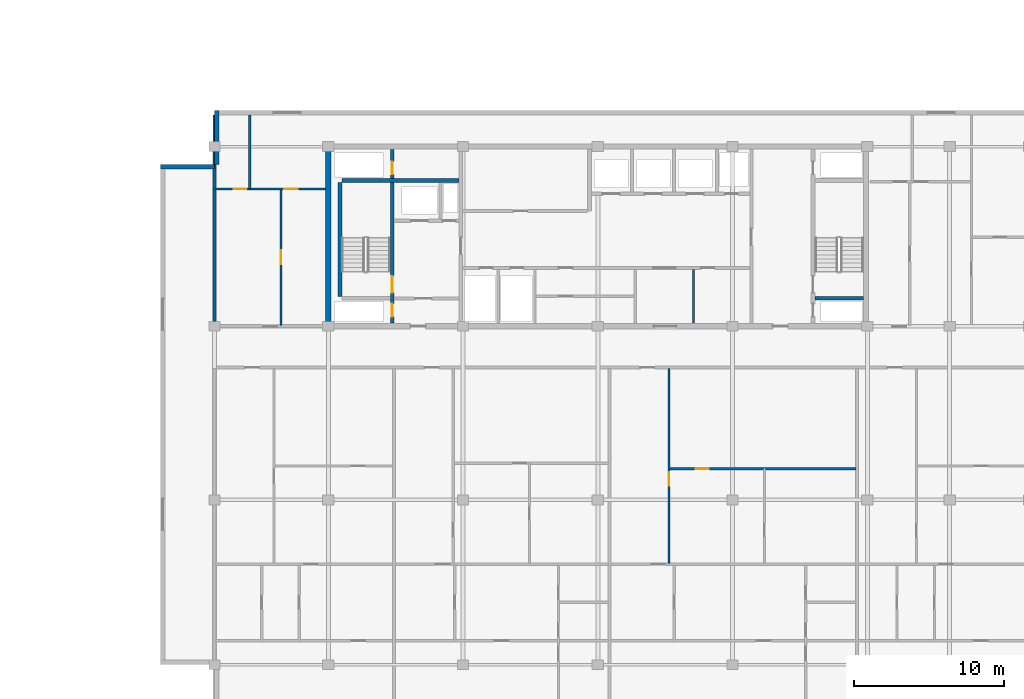
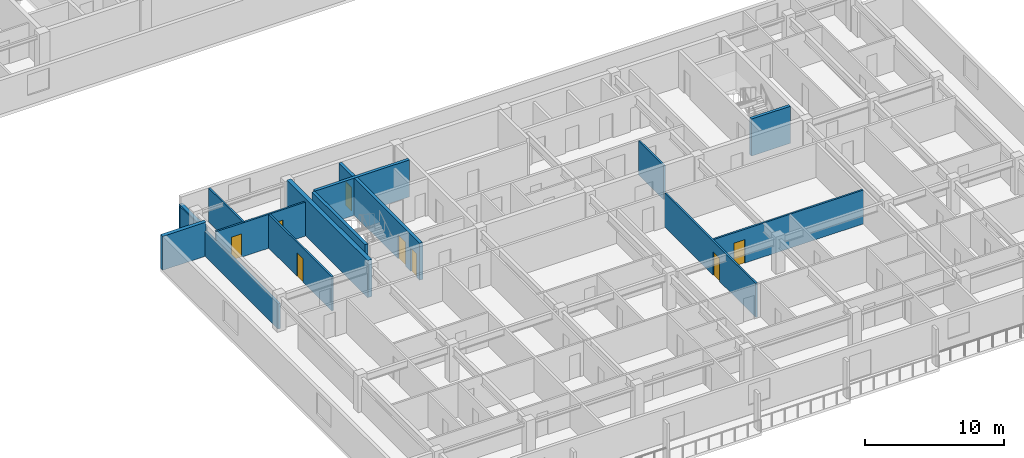
# One storey, part 6 of 22: 14 walls, 8 doors, 8 openings.
"""IFC4 building model written with IfcOpenShell, lengths in metres."""

from ifc_helpers import new_model, si_unit, direction, frame, frame_2d, origin, place, context, subcontext, project, spatial, rectangle, extrude, material, layer, layer_set, type_object, element, fill, save


model = new_model("IFC4")

# Units and contexts
model_context = context("Model", 3, precision=1e-05, world=origin(), true_north=direction((0.0, 1.0)))
body_context = subcontext(model_context, "Body", "Model", "MODEL_VIEW")
ifc_project = project(units=[si_unit("LENGTHUNIT", "METRE"), si_unit("AREAUNIT", "SQUARE_METRE"), si_unit("VOLUMEUNIT", "CUBIC_METRE"), si_unit("PLANEANGLEUNIT", "RADIAN"), si_unit("MASSUNIT", "GRAM", prefix="KILO")], contexts=[model_context])

# Site, building, storey
site_placement = place(None, origin())
site = spatial("IfcSite", under=ifc_project, at=site_placement, CompositionType="ELEMENT")
building_placement = place(site_placement, origin())
building = spatial("IfcBuilding", under=site, at=building_placement, Name="Korimba Cascade Residences", CompositionType="ELEMENT")
storey_placement = place(building_placement, frame((0.0, 0.0, 181.60009765625)))
storey = spatial("IfcBuildingStorey", under=building, at=storey_placement, Name="L52", CompositionType="ELEMENT", Elevation=181.60009765625)

# Walls
ifc_material_1 = material(Name="Precast concrete C40/50", Category="concrete")
ifc_layer_1 = layer(ifc_material_1, 0.300048828125)
ifc_layer_set_1 = layer_set([ifc_layer_1], Name="Precast concrete C40/50")
wall_type_1 = type_object("IfcWallType", Name="EW-STONE-300", PredefinedType="STANDARD", material=ifc_layer_set_1)
wall_1_placement = place(storey_placement, frame((74.64990234375, 32.800048828125, 0.0), z_axis=(0.0, 0.0, 1.0), x_axis=(0.0, -1.0, 0.0)))
element("IfcWall", 1, at=wall_1_placement, inside=storey, type_object=wall_type_1, Name="L52 T2 Perimeter Stone Wall E07", PredefinedType="STANDARD", context=body_context, shape_type="SweptSolid", body=[
    extrude(rectangle(XDim=3.60009765625, YDim=0.300048828125, at=frame_2d((1.800048828125, 0.0))), origin(), (0.0, 0.0, 1.0), 2.2001953125),
])
wall_2_placement = place(storey_placement, frame((74.5, 29.050048828125, 0.0), z_axis=(0.0, 0.0, 1.0), x_axis=(-1.0, 0.0, 0.0)))
element("IfcWall", 2, at=wall_2_placement, inside=storey, type_object=wall_type_1, Name="L52 T2 Perimeter Stone Wall E08", PredefinedType="STANDARD", context=body_context, shape_type="SweptSolid", body=[
    extrude(rectangle(XDim=3.60009765625, YDim=0.300048828125, at=frame_2d((1.800048828125, 0.0))), origin(), (0.0, 0.0, 1.0), 2.969970703125),
])
ifc_material_2 = material(Name="Concrete C65/80", Category="concrete")
ifc_layer_2 = layer(ifc_material_2, 0.35009765625)
ifc_layer_set_2 = layer_set([ifc_layer_2], Name="Concrete C65/80")
wall_type_2 = type_object("IfcWallType", Name="WAL-CORE-350", PredefinedType="SHEAR", material=ifc_layer_set_2)
wall_3_placement = place(storey_placement, frame((82.10009765625, 18.574951171875, 0.0), z_axis=(0.0, 0.0, 1.0), x_axis=(0.0, 1.0, 0.0)))
element("IfcWall", 3, at=wall_3_placement, inside=storey, type_object=wall_type_2, Name="L52 Core Shear Wall CW-L52-T2-W", PredefinedType="SHEAR", context=body_context, shape_type="SweptSolid", body=[
    extrude(rectangle(XDim=11.650146484375, YDim=0.35009765625, at=frame_2d((5.8251953125, 0.0))), origin(), (0.0, 0.0, 1.0), 3.25),
])
ifc_layer_3 = layer(ifc_material_1, 0.199951171875)
ifc_layer_set_3 = layer_set([ifc_layer_3], Name="Precast concrete C40/50")
wall_type_3 = type_object("IfcWallType", Name="WAL-IT-200", PredefinedType="PARTITIONING", material=ifc_layer_set_3)
wall_4_placement = place(storey_placement, frame((74.5, 18.39990234375, 0.0), z_axis=(0.0, 0.0, 1.0), x_axis=(0.0, 1.0, 0.0)))
element("IfcWall", 4, at=wall_4_placement, inside=storey, type_object=wall_type_3, Name="L52 Partition Wall WAL-L52-T2-FW-WL", PredefinedType="PARTITIONING", context=body_context, shape_type="SweptSolid", body=[
    extrude(rectangle(XDim=14.10009765625, YDim=0.199951171875, at=frame_2d((7.050048828125, 0.0))), origin(), (0.0, 0.0, 1.0), 2.2001953125),
])
ifc_material_3 = material(Name="Insulated Acoustic Stud Partition", Category="gypsum")
ifc_layer_4 = layer(ifc_material_3, 0.14990234375)
ifc_layer_set_4 = layer_set([ifc_layer_4], Name="Insulated Acoustic Stud Partition")
wall_type_4 = type_object("IfcWallType", Name="WAL-PART-150", PredefinedType="PARTITIONING", material=ifc_layer_set_4)
wall_5_placement = place(storey_placement, frame((106.5, 18.60009765625, 0.0), z_axis=(0.0, 0.0, 1.0), x_axis=(0.0, 1.0, 0.0)))
element("IfcWall", 5, at=wall_5_placement, inside=storey, type_object=wall_type_4, Name="L52 Partition Wall CW-L52-T2-THE", PredefinedType="PARTITIONING", context=body_context, shape_type="SweptSolid", body=[
    extrude(rectangle(XDim=3.599853515625, YDim=0.14990234375, at=frame_2d((1.7998046875, 0.0))), origin(), (0.0, 0.0, 1.0), 2.969970703125),
])

# Wall, opening, door
wall_6_placement = place(storey_placement, frame((78.945068359375, 18.449951171875, 0.0), z_axis=(0.0, 0.0, 1.0), x_axis=(0.0, 1.0, 0.0)))
wall_6 = element("IfcWall", 6, at=wall_6_placement, inside=storey, type_object=wall_type_4, Name="L52 Partition Wall WAL-L52-T2-FW-VS", PredefinedType="PARTITIONING", context=body_context, shape_type="SweptSolid", body=[
    extrude(rectangle(XDim=9.1201171875, YDim=0.14990234375, at=frame_2d((4.56005859375, 0.0))), origin(), (0.0, 0.0, 1.0), 2.969970703125),
])
opening_1_placement = place(wall_6_placement, frame((4.10009765625, 0.0, 0.0)))
opening_1 = element("IfcOpeningElement", 7, at=opening_1_placement, cuts=wall_6, Name="Opening D-IN1", PredefinedType="OPENING", context=body_context, shape_type="SweptSolid", body=[
    extrude(rectangle(XDim=0.919921875, YDim=2.080078125, at=frame_2d((0.4599609375, 1.0400390625))), frame((0.0, 0.0849609375, 0.0), z_axis=(0.0, -1.0, 0.0), x_axis=(1.0, 0.0, 0.0)), (0.0, 0.0, 1.0), 0.169921875),
])
ifc_material_4 = material(Name="Acoustic Timber Living Door", Category="wood")
door_type_1 = type_object("IfcDoorType", Name="DR-INT-920", OperationType="NOTDEFINED", PredefinedType="DOOR", material=ifc_material_4)
door_1_placement = place(opening_1_placement, origin())
door_1 = element("IfcDoor", 8, at=door_1_placement, inside=storey, type_object=door_type_1, Name="L52-T2-FW Living Door", OperationType="SINGLE_SWING_LEFT", OverallHeight=2.080078125, OverallWidth=0.919921875, PredefinedType="DOOR", context=body_context, shape_type="SweptSolid", body=[
    extrude(rectangle(XDim=0.919921875, YDim=2.080078125, at=frame_2d((0.4599609375, 1.0400390625))), frame((0.0, 0.02490234375, 0.0), z_axis=(0.0, -1.0, 0.0), x_axis=(1.0, 0.0, 0.0)), (0.0, 0.0, 1.0), 0.050048828125),
])
fill(opening_1, door_1)

# Wall
wall_7_placement = place(storey_placement, frame((76.85009765625, 27.570068359375, 0.0), z_axis=(0.0, 0.0, 1.0), x_axis=(0.0, 1.0, 0.0)))
element("IfcWall", 9, at=wall_7_placement, inside=storey, type_object=wall_type_4, Name="L52 Partition Wall WAL-L52-T2-FW-VN", PredefinedType="PARTITIONING", context=body_context, shape_type="SweptSolid", body=[
    extrude(rectangle(XDim=4.929931640625, YDim=0.14990234375, at=frame_2d((2.46484375, 0.0))), origin(), (0.0, 0.0, 1.0), 2.969970703125),
])

# Wall, openings, doors
wall_8_placement = place(storey_placement, frame((74.52001953125, 27.570068359375, 0.0), z_axis=(0.0, 0.0, 1.0), x_axis=(1.0, 0.0, 0.0)))
wall_8 = element("IfcWall", 10, at=wall_8_placement, inside=storey, type_object=wall_type_4, Name="L52 Partition Wall WAL-L52-T2-FW-H", PredefinedType="PARTITIONING", context=body_context, shape_type="SweptSolid", body=[
    extrude(rectangle(XDim=7.409912109375, YDim=0.14990234375, at=frame_2d((3.705078125, 0.0))), origin(), (0.0, 0.0, 1.0), 2.969970703125),
])
opening_2_placement = place(wall_8_placement, frame((1.266357421875, 0.0, 0.0)))
opening_2 = element("IfcOpeningElement", 11, at=opening_2_placement, cuts=wall_8, Name="Opening D-BT1", PredefinedType="OPENING", context=body_context, shape_type="SweptSolid", body=[
    extrude(rectangle(XDim=0.840087890625, YDim=2.0400390625, at=frame_2d((0.419921875, 1.02001953125))), frame((0.0, 0.0849609375, 0.0), z_axis=(0.0, -1.0, 0.0), x_axis=(1.0, 0.0, 0.0)), (0.0, 0.0, 1.0), 0.169921875),
])
opening_3_placement = place(wall_8_placement, frame((4.64501953125, 0.0, 0.0)))
opening_3 = element("IfcOpeningElement", 12, at=opening_3_placement, cuts=wall_8, Name="Opening D-IN2", PredefinedType="OPENING", context=body_context, shape_type="SweptSolid", body=[
    extrude(rectangle(XDim=0.8798828125, YDim=2.06005859375, at=frame_2d((0.43994140625, 1.030029296875))), frame((0.0, 0.0849609375, 0.0), z_axis=(0.0, -1.0, 0.0), x_axis=(1.0, 0.0, 0.0)), (0.0, 0.0, 1.0), 0.169921875),
])
ifc_material_5 = material(Name="Moisture-Resistant Bathroom Timber Door", Category="wood")
door_type_2 = type_object("IfcDoorType", Name="DR-INT-850", OperationType="NOTDEFINED", PredefinedType="DOOR", material=ifc_material_5)
door_2_placement = place(opening_2_placement, origin())
door_2 = element("IfcDoor", 13, at=door_2_placement, inside=storey, type_object=door_type_2, Name="L52-T2-FW Bathroom Door", OperationType="SINGLE_SWING_RIGHT", OverallHeight=2.0400390625, OverallWidth=0.840087890625, PredefinedType="DOOR", context=body_context, shape_type="SweptSolid", body=[
    extrude(rectangle(XDim=0.840087890625, YDim=2.0400390625, at=frame_2d((0.419921875, 1.02001953125))), frame((0.0, 0.02490234375, 0.0), z_axis=(0.0, -1.0, 0.0), x_axis=(1.0, 0.0, 0.0)), (0.0, 0.0, 1.0), 0.050048828125),
])
fill(opening_2, door_2)
ifc_material_6 = material(Name="Acoustic Timber Bedroom Door", Category="wood")
door_type_3 = type_object("IfcDoorType", Name="DR-INT-880", OperationType="NOTDEFINED", PredefinedType="DOOR", material=ifc_material_6)
door_3_placement = place(opening_3_placement, origin())
door_3 = element("IfcDoor", 14, at=door_3_placement, inside=storey, type_object=door_type_3, Name="L52-T2-FW Bedroom Door", OperationType="SINGLE_SWING_LEFT", OverallHeight=2.06005859375, OverallWidth=0.8798828125, PredefinedType="DOOR", context=body_context, shape_type="SweptSolid", body=[
    extrude(rectangle(XDim=0.8798828125, YDim=2.06005859375, at=frame_2d((0.43994140625, 1.030029296875))), frame((0.0, 0.02490234375, 0.0), z_axis=(0.0, -1.0, 0.0), x_axis=(1.0, 0.0, 0.0)), (0.0, 0.0, 1.0), 0.050048828125),
])
fill(opening_3, door_3)

# Wall, opening, door
wall_9_placement = place(storey_placement, frame((104.921630859375, 8.885009765625, 0.0), z_axis=(0.0, 0.0, 1.0), x_axis=(1.0, 0.0, 0.0)))
wall_9 = element("IfcWall", 15, at=wall_9_placement, inside=storey, type_object=wall_type_4, Name="L52 Partition Wall WAL-L52-T2-U03-FMH", PredefinedType="PARTITIONING", context=body_context, shape_type="SweptSolid", body=[
    extrude(rectangle(XDim=12.40673828125, YDim=0.14990234375, at=frame_2d((6.203369140625, 0.0))), origin(), (0.0, 0.0, 1.0), 2.969970703125),
])
opening_4_placement = place(wall_9_placement, frame((1.708984375, 0.0, 0.0)))
opening_4 = element("IfcOpeningElement", 16, at=opening_4_placement, cuts=wall_9, Name="Opening D-IN2", PredefinedType="OPENING", context=body_context, shape_type="SweptSolid", body=[
    extrude(rectangle(XDim=0.8798828125, YDim=2.06005859375, at=frame_2d((0.43994140625, 1.030029296875))), frame((0.0, 0.0849609375, 0.0), z_axis=(0.0, -1.0, 0.0), x_axis=(1.0, 0.0, 0.0)), (0.0, 0.0, 1.0), 0.169921875),
])
door_4_placement = place(opening_4_placement, origin())
door_4 = element("IfcDoor", 17, at=door_4_placement, inside=storey, type_object=door_type_3, Name="L52-T2-U03 Library Salon Door", OperationType="SINGLE_SWING_LEFT", OverallHeight=2.06005859375, OverallWidth=0.8798828125, PredefinedType="DOOR", context=body_context, shape_type="SweptSolid", body=[
    extrude(rectangle(XDim=0.8798828125, YDim=2.06005859375, at=frame_2d((0.43994140625, 1.030029296875))), frame((0.0, 0.02490234375, 0.0), z_axis=(0.0, -1.0, 0.0), x_axis=(1.0, 0.0, 0.0)), (0.0, 0.0, 1.0), 0.050048828125),
])
fill(opening_4, door_4)

wall_10_placement = place(storey_placement, frame((104.861572265625, 2.5400390625, 0.0), z_axis=(0.0, 0.0, 1.0), x_axis=(0.0, 1.0, 0.0)))
wall_10 = element("IfcWall", 18, at=wall_10_placement, inside=storey, type_object=wall_type_4, Name="L52 Partition Wall WAL-L52-T2-U03-FV", PredefinedType="PARTITIONING", context=body_context, shape_type="SweptSolid", body=[
    extrude(rectangle(XDim=13.050048828125, YDim=0.14990234375, at=frame_2d((6.52490234375, 0.0))), origin(), (0.0, 0.0, 1.0), 2.969970703125),
])
opening_5_placement = place(wall_10_placement, frame((5.215087890625, 0.0, 0.0)))
opening_5 = element("IfcOpeningElement", 19, at=opening_5_placement, cuts=wall_10, Name="Opening D-IN2", PredefinedType="OPENING", context=body_context, shape_type="SweptSolid", body=[
    extrude(rectangle(XDim=0.8798828125, YDim=2.06005859375, at=frame_2d((0.43994140625, 1.030029296875))), frame((0.0, 0.0849609375, 0.0), z_axis=(0.0, -1.0, 0.0), x_axis=(1.0, 0.0, 0.0)), (0.0, 0.0, 1.0), 0.169921875),
])
door_5_placement = place(opening_5_placement, origin())
door_5 = element("IfcDoor", 20, at=door_5_placement, inside=storey, type_object=door_type_3, Name="L52-T2-U03 Media Lounge Door", OperationType="SINGLE_SWING_RIGHT", OverallHeight=2.06005859375, OverallWidth=0.8798828125, PredefinedType="DOOR", context=body_context, shape_type="SweptSolid", body=[
    extrude(rectangle(XDim=0.8798828125, YDim=2.06005859375, at=frame_2d((0.43994140625, 1.030029296875))), frame((0.0, 0.02490234375, 0.0), z_axis=(0.0, -1.0, 0.0), x_axis=(1.0, 0.0, 0.0)), (0.0, 0.0, 1.0), 0.050048828125),
])
fill(opening_5, door_5)

# Wall
ifc_material_7 = material(Name="Concrete C50/60", Category="concrete")
ifc_layer_5 = layer(ifc_material_7, 0.25)
ifc_layer_set_5 = layer_set([ifc_layer_5], Name="Concrete C50/60")
wall_type_5 = type_object("IfcWallType", Name="WAL-SHAFT-250", PredefinedType="SHEAR", material=ifc_layer_set_5)
wall_11_placement = place(storey_placement, frame((82.875, 20.39990234375, 0.0), z_axis=(0.0, 0.0, 1.0), x_axis=(0.0, 1.0, 0.0)))
element("IfcWall", 21, at=wall_11_placement, inside=storey, type_object=wall_type_5, Name="L52 Core Shear Wall CW-L52-T2-STE1W", PredefinedType="SHEAR", context=body_context, shape_type="SweptSolid", body=[
    extrude(rectangle(XDim=7.60009765625, YDim=0.25, at=frame_2d((3.800048828125, 0.0))), origin(), (0.0, 0.0, 1.0), 3.25),
])

# Wall, openings, doors
wall_12_placement = place(storey_placement, frame((86.364990234375, 18.60009765625, 0.0), z_axis=(0.0, 0.0, 1.0), x_axis=(0.0, 1.0, 0.0)))
wall_12 = element("IfcWall", 22, at=wall_12_placement, inside=storey, type_object=wall_type_5, Name="L52 Core Shear Wall CW-L52-T2-STE1E", PredefinedType="SHEAR", context=body_context, shape_type="SweptSolid", body=[
    extrude(rectangle(XDim=11.599853515625, YDim=0.25, at=frame_2d((5.7998046875, 0.0))), origin(), (0.0, 0.0, 1.0), 3.25),
])
opening_6_placement = place(wall_12_placement, frame((0.449951171875, 0.0, 0.0)))
opening_6 = element("IfcOpeningElement", 23, at=opening_6_placement, cuts=wall_12, Name="Opening D-RS1", PredefinedType="OPENING", context=body_context, shape_type="SweptSolid", body=[
    extrude(rectangle(XDim=0.85009765625, YDim=2.050048828125, at=frame_2d((0.425048828125, 1.02490234375))), frame((0.0, 0.135009765625, 0.0), z_axis=(0.0, -1.0, 0.0), x_axis=(1.0, 0.0, 0.0)), (0.0, 0.0, 1.0), 0.27001953125),
])
opening_7_placement = place(wall_12_placement, frame((2.050048828125, 0.0, 0.0)))
opening_7 = element("IfcOpeningElement", 24, at=opening_7_placement, cuts=wall_12, Name="Opening D-FD1", PredefinedType="OPENING", context=body_context, shape_type="SweptSolid", body=[
    extrude(rectangle(XDim=1.10009765625, YDim=2.10009765625, at=frame_2d((0.550048828125, 1.050048828125))), frame((0.0, 0.135009765625, 0.0), z_axis=(0.0, -1.0, 0.0), x_axis=(1.0, 0.0, 0.0)), (0.0, 0.0, 1.0), 0.27001953125),
])
opening_8_placement = place(wall_12_placement, frame((9.949951171875, 0.0, 0.0)))
opening_8 = element("IfcOpeningElement", 25, at=opening_8_placement, cuts=wall_12, Name="Opening D-RS1", PredefinedType="OPENING", context=body_context, shape_type="SweptSolid", body=[
    extrude(rectangle(XDim=0.85009765625, YDim=2.050048828125, at=frame_2d((0.425048828125, 1.02490234375))), frame((0.0, 0.135009765625, 0.0), z_axis=(0.0, -1.0, 0.0), x_axis=(1.0, 0.0, 0.0)), (0.0, 0.0, 1.0), 0.27001953125),
])
ifc_material_8 = material(Name="Fire-Rated Steel Core Door", Category="steel")
door_type_4 = type_object("IfcDoorType", Name="DR-FD120-1100", OperationType="NOTDEFINED", PredefinedType="DOOR", material=ifc_material_8)
door_6_placement = place(opening_7_placement, origin())
door_6 = element("IfcDoor", 26, at=door_6_placement, inside=storey, type_object=door_type_4, Name="L52 Fire Stair ST-E1 Door", OperationType="SINGLE_SWING_LEFT", OverallHeight=2.10009765625, OverallWidth=1.10009765625, PredefinedType="DOOR", context=body_context, shape_type="SweptSolid", body=[
    extrude(rectangle(XDim=1.10009765625, YDim=2.10009765625, at=frame_2d((0.550048828125, 1.050048828125))), frame((0.0, 0.02490234375, 0.0), z_axis=(0.0, -1.0, 0.0), x_axis=(1.0, 0.0, 0.0)), (0.0, 0.0, 1.0), 0.050048828125),
])
fill(opening_7, door_6)
ifc_material_9 = material(Name="Fire-Rated Steel Riser Access Door", Category="steel")
door_type_5 = type_object("IfcDoorType", Name="DR-FD60-850", OperationType="NOTDEFINED", PredefinedType="DOOR", material=ifc_material_9)
door_7_placement = place(opening_6_placement, origin())
door_7 = element("IfcDoor", 27, at=door_7_placement, inside=storey, type_object=door_type_5, Name="L52 T2 Hydrant Riser Door", OperationType="SINGLE_SWING_RIGHT", OverallHeight=2.050048828125, OverallWidth=0.85009765625, PredefinedType="DOOR", context=body_context, shape_type="SweptSolid", body=[
    extrude(rectangle(XDim=0.85009765625, YDim=2.050048828125, at=frame_2d((0.425048828125, 1.02490234375))), frame((0.0, 0.02490234375, 0.0), z_axis=(0.0, -1.0, 0.0), x_axis=(1.0, 0.0, 0.0)), (0.0, 0.0, 1.0), 0.050048828125),
])
fill(opening_6, door_7)
door_8_placement = place(opening_8_placement, origin())
door_8 = element("IfcDoor", 28, at=door_8_placement, inside=storey, type_object=door_type_5, Name="L52 T2 Smoke Shaft Door", OperationType="SINGLE_SWING_RIGHT", OverallHeight=2.050048828125, OverallWidth=0.85009765625, PredefinedType="DOOR", context=body_context, shape_type="SweptSolid", body=[
    extrude(rectangle(XDim=0.85009765625, YDim=2.050048828125, at=frame_2d((0.425048828125, 1.02490234375))), frame((0.0, 0.02490234375, 0.0), z_axis=(0.0, -1.0, 0.0), x_axis=(1.0, 0.0, 0.0)), (0.0, 0.0, 1.0), 0.050048828125),
])
fill(opening_8, door_8)

# Walls
wall_13_placement = place(storey_placement, frame((83.0, 28.125, 0.0), z_axis=(0.0, 0.0, 1.0), x_axis=(1.0, 0.0, 0.0)))
element("IfcWall", 29, at=wall_13_placement, inside=storey, type_object=wall_type_5, Name="L52 Core Shear Wall CW-L52-T2-STE1N", PredefinedType="SHEAR", context=body_context, shape_type="SweptSolid", body=[
    extrude(rectangle(XDim=7.820068359375, YDim=0.25, at=frame_2d((3.91015625, 0.0))), origin(), (0.0, 0.0, 1.0), 3.25),
])
wall_14_placement = place(storey_placement, frame((114.60009765625, 20.27490234375, 0.0), z_axis=(0.0, 0.0, 1.0), x_axis=(1.0, 0.0, 0.0)))
element("IfcWall", 30, at=wall_14_placement, inside=storey, type_object=wall_type_5, Name="L52 Core Shear Wall CW-L52-T2-STE2S", PredefinedType="SHEAR", context=body_context, shape_type="SweptSolid", body=[
    extrude(rectangle(XDim=3.239990234375, YDim=0.25, at=frame_2d((1.6201171875, 0.0))), origin(), (0.0, 0.0, 1.0), 3.25),
])

save(model, "model.ifc")
